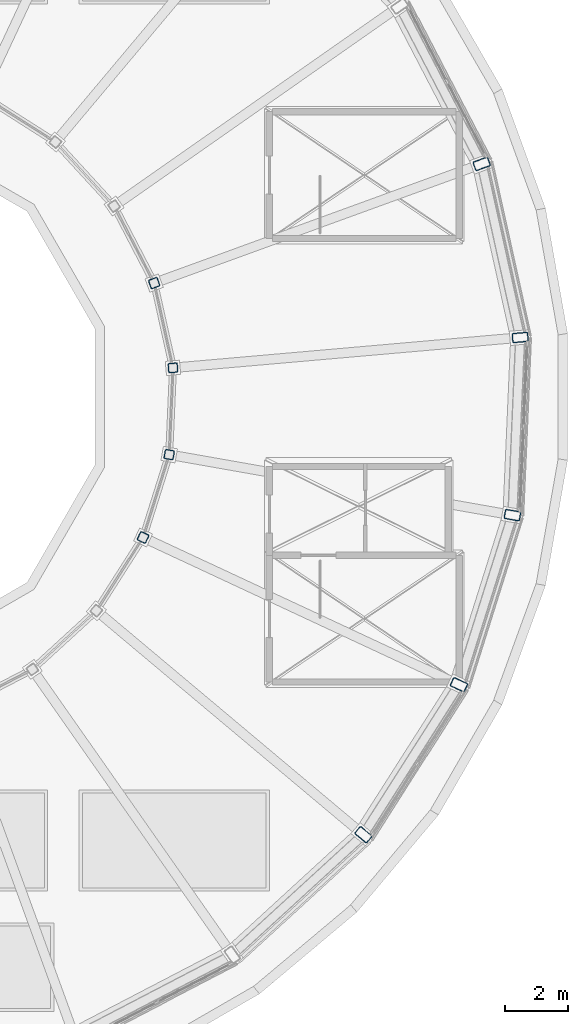
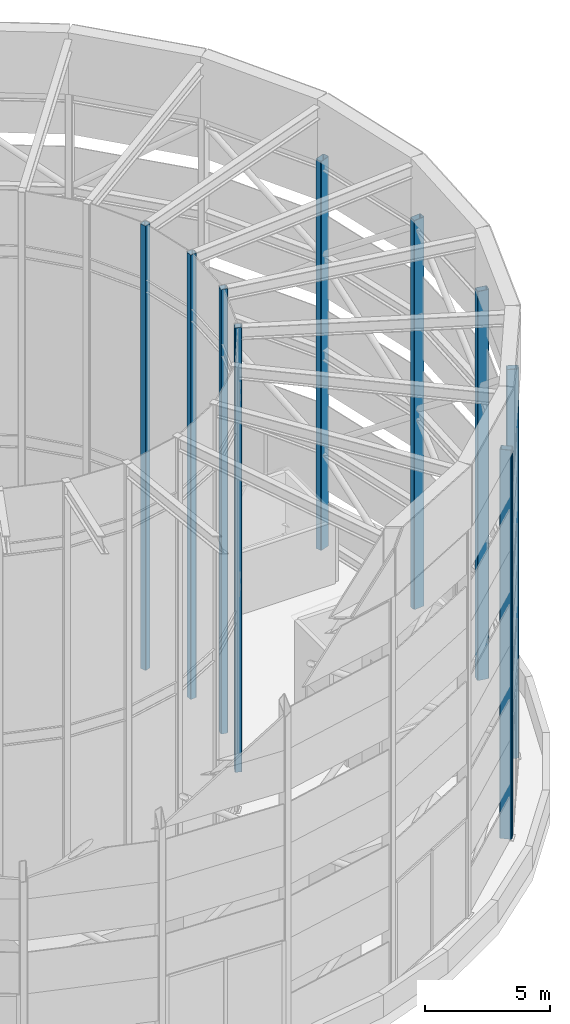
# One storey, part 2 of 20: 9 columns.
"""IFC4 building model written with IfcOpenShell, lengths in metres."""

from ifc_helpers import new_model, si_unit, direction, frame, origin, origin_2d, place, context, subcontext, project, spatial, hollow_rectangle, extrude, material, material_profile, profile_set, type_object, element, save


model = new_model("IFC4")

# Units and contexts
model_context = context("Model", 3, precision=1e-05, world=origin(), true_north=direction((0.0, 1.0)))
body_context = subcontext(model_context, "Body", "Model", "MODEL_VIEW")
ifc_project = project(units=[si_unit("LENGTHUNIT", "METRE"), si_unit("AREAUNIT", "SQUARE_METRE"), si_unit("VOLUMEUNIT", "CUBIC_METRE"), si_unit("PLANEANGLEUNIT", "RADIAN"), si_unit("MASSUNIT", "GRAM", prefix="KILO")], contexts=[model_context])

# Site, building, storey
site_placement = place(None, origin())
site = spatial("IfcSite", under=ifc_project, at=site_placement, CompositionType="ELEMENT")
building_placement = place(site_placement, origin())
building = spatial("IfcBuilding", under=site, at=building_placement, Name="Saqina Gate Tower", CompositionType="ELEMENT")
storey_placement = place(building_placement, frame((0.0, 0.0, 284.199951171875)))
storey = spatial("IfcBuildingStorey", under=building, at=storey_placement, Name="RF", CompositionType="ELEMENT", Elevation=284.199951171875)

# Columns
ifc_material_1 = material(Name="Steel S460", Category="steel")
ifc_material_profile_1 = material_profile(ifc_material_1, hollow_rectangle(XDim=0.300048828125, YDim=0.300048828125, WallThickness=0.01611328125, InnerFilletRadius=0.031982421875, OuterFilletRadius=0.048095703125, at=origin_2d()), Name="SHS 300x300x16")
ifc_profile_set_1 = profile_set([ifc_material_profile_1], Name="Steel S460")
column_type_1 = type_object("IfcColumnType", Name="STR-CROWN FRAME COLUMN INNER-SHS 300x300x16", PredefinedType="COLUMN", material=ifc_profile_set_1)
for number, where, z_axis, x_axis, name in (
    (1, (10.4599609375, 0.9150390625, 0.025146484375), (0.0, 0.0, 1.0), (0.996194698092, 0.087155742748, 0.0), "CROWN FRAME COLUMN INNER 01"),
    (2, (9.86669921875, 3.59130859375, 0.025146484375), (0.0, 0.0, 1.0), (0.939692620786, 0.342020143326, 0.0), "CROWN FRAME COLUMN INNER 02"),
    (3, (9.51611328125, -4.4375, 0.025146484375), (0.0, 0.0, 1.0), (0.906307787037, -0.422618261741, 0.0), "CROWN FRAME COLUMN INNER 23"),
    (4, (10.340576171875, -1.8232421875, 0.025146484375), (0.0, 0.0, 1.0), (0.984807753012, -0.173648177667, 0.0), "CROWN FRAME COLUMN INNER 24"),
):
    element("IfcColumn", number, at=place(storey_placement, frame(where, z_axis=z_axis, x_axis=x_axis)), inside=storey, type_object=column_type_1, Name=name, PredefinedType="COLUMN", context=body_context, shape_type="SweptSolid", body=[
        extrude(hollow_rectangle(XDim=0.300048828125, YDim=0.300048828125, WallThickness=0.01611328125, InnerFilletRadius=0.031982421875, OuterFilletRadius=0.048095703125, at=origin_2d()), origin(), (0.0, 0.0, 1.0), 21.6748046875),
    ])
ifc_material_2 = material(Name="Steel S460", Category="steel")
ifc_material_profile_2 = material_profile(ifc_material_2, hollow_rectangle(XDim=0.300048828125, YDim=0.5, WallThickness=0.01611328125, InnerFilletRadius=0.031982421875, OuterFilletRadius=0.048095703125, at=origin_2d()), Name="RHS 500x300x16")
ifc_profile_set_2 = profile_set([ifc_material_profile_2], Name="Steel S460")
column_type_2 = type_object("IfcColumnType", Name="STR-CROWN FRAME COLUMN OUTER-RHS 500x300x16", PredefinedType="COLUMN", material=ifc_profile_set_2)
for number, where, z_axis, x_axis, name in (
    (5, (21.418212890625, 1.873779296875, 0.025146484375), (0.0, 0.0, 1.0), (-0.087155742748, 0.996194698092, 0.0), "CROWN FRAME COLUMN 01"),
    (6, (20.203369140625, 7.353515625, 0.025146484375), (0.0, 0.0, 1.0), (-0.342020143326, 0.939692620786, 0.0), "CROWN FRAME COLUMN 02"),
    (7, (16.469970703125, -13.81982421875, 0.025146484375), (0.0, 0.0, 1.0), (0.642787609687, 0.766044443119, 0.0), "CROWN FRAME COLUMN 22"),
    (8, (19.485595703125, -9.086181640625, 0.025146484375), (0.0, 0.0, 1.0), (0.422618261741, 0.906307787037, 0.0), "CROWN FRAME COLUMN 23"),
    (9, (21.17333984375, -3.7333984375, 0.025146484375), (0.0, 0.0, 1.0), (0.173648177667, 0.984807753012, 0.0), "CROWN FRAME COLUMN 24"),
):
    element("IfcColumn", number, at=place(storey_placement, frame(where, z_axis=z_axis, x_axis=x_axis)), inside=storey, type_object=column_type_2, Name=name, PredefinedType="COLUMN", context=body_context, shape_type="SweptSolid", body=[
        extrude(hollow_rectangle(XDim=0.300048828125, YDim=0.5, WallThickness=0.01611328125, InnerFilletRadius=0.031982421875, OuterFilletRadius=0.048095703125, at=origin_2d()), origin(), (0.0, 0.0, 1.0), 18.974853515625),
    ])

save(model, "model.ifc")
